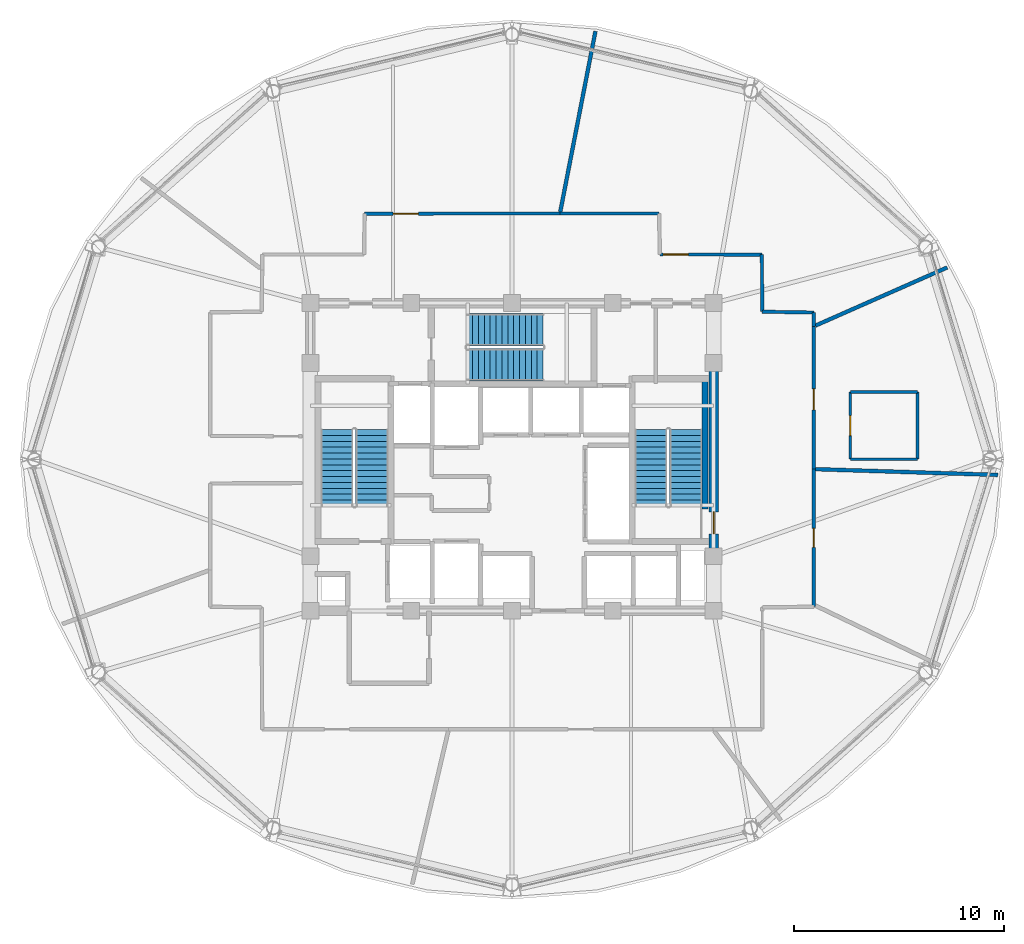
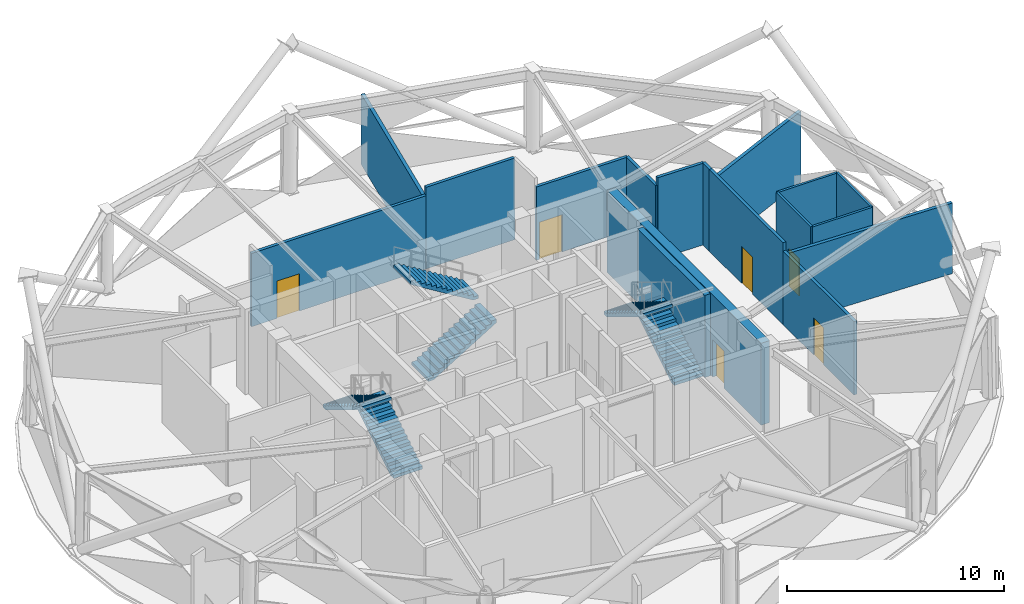
# One storey, part 12 of 16: 17 walls, 6 doors, 6 stair flights, 6 openings, 3 elements without a shape of their own.
"""IFC4 building model written with IfcOpenShell, lengths in metres."""

from ifc_helpers import new_model, si_unit, direction, frame, frame_2d, origin, place, context, subcontext, project, spatial, polyline, rectangle, outline, extrude, material, layer, layer_set, type_object, element, fill, aggregate, save


model = new_model("IFC4")

# Units and contexts
model_context = context("Model", 3, precision=1e-05, world=origin(), true_north=direction((0.0, 1.0)))
body_context = subcontext(model_context, "Body", "Model", "MODEL_VIEW")
ifc_project = project(units=[si_unit("LENGTHUNIT", "METRE"), si_unit("AREAUNIT", "SQUARE_METRE"), si_unit("VOLUMEUNIT", "CUBIC_METRE"), si_unit("PLANEANGLEUNIT", "RADIAN"), si_unit("MASSUNIT", "GRAM", prefix="KILO")], contexts=[model_context])

# Site, building, storey
site_placement = place(None, origin())
site = spatial("IfcSite", under=ifc_project, at=site_placement, CompositionType="ELEMENT")
building_placement = place(site_placement, origin())
building = spatial("IfcBuilding", under=site, at=building_placement, Name="Vantalir Tower", CompositionType="ELEMENT")
storey_placement = place(building_placement, frame((0.0, 0.0, 181.35009765625)))
storey = spatial("IfcBuildingStorey", under=building, at=storey_placement, Name="L45", CompositionType="ELEMENT", Elevation=181.35009765625)

# Walls
ifc_material_1 = material(Name="Moisture-resistant en-suite partition", Category="gypsum")
ifc_layer_1 = layer(ifc_material_1, 0.125)
ifc_layer_set_1 = layer_set([ifc_layer_1], Name="Moisture-resistant en-suite partition")
wall_type_1 = type_object("IfcWallType", Name="WL-BATH-125", PredefinedType="PARTITIONING", material=ifc_layer_set_1)
for number, where, z_axis, x_axis, name in (
    (1, (47.60498046875, 25.01904296875, 0.0), (0.0, 0.0, 1.0), (1.0, 0.0, 0.0), "L45 Accessible WC South Wall"),
    (2, (47.60498046875, 28.218994140625, 0.0), (0.0, 0.0, 1.0), (1.0, 0.0, 0.0), "L45 Accessible WC North Wall"),
):
    element("IfcWall", number, at=place(storey_placement, frame(where, z_axis=z_axis, x_axis=x_axis)), inside=storey, type_object=wall_type_1, Name=name, PredefinedType="PARTITIONING", context=body_context, shape_type="SweptSolid", body=[
        extrude(rectangle(XDim=3.199951171875, YDim=0.125, at=frame_2d((1.60009765625, 0.0))), origin(), (0.0, 0.0, 1.0), 4.599853515625),
    ])

# Wall, opening, door
wall_1_placement = place(storey_placement, frame((47.60498046875, 25.01904296875, 0.0), z_axis=(0.0, 0.0, 1.0), x_axis=(0.0, 1.0, 0.0)))
wall_1 = element("IfcWall", 3, at=wall_1_placement, inside=storey, type_object=wall_type_1, Name="L45 Accessible WC West Wall", PredefinedType="PARTITIONING", context=body_context, shape_type="SweptSolid", body=[
    extrude(rectangle(XDim=3.199951171875, YDim=0.125, at=frame_2d((1.60009765625, 0.0))), origin(), (0.0, 0.0, 1.0), 4.599853515625),
])
opening_1_placement = place(wall_1_placement, frame((1.125, 0.0, 0.0)))
opening_1 = element("IfcOpeningElement", 4, at=opening_1_placement, cuts=wall_1, Name="Opening D-AWC", PredefinedType="OPENING", context=body_context, shape_type="SweptSolid", body=[
    extrude(rectangle(XDim=0.949951171875, YDim=2.10009765625, at=frame_2d((0.47509765625, 1.050048828125))), frame((0.0, 0.072509765625, 0.0), z_axis=(0.0, -1.0, 0.0), x_axis=(1.0, 0.0, 0.0)), (0.0, 0.0, 1.0), 0.14501953125),
])
ifc_material_2 = material(Name="Accessible toilet outward-opening hardwood door", Category="wood")
door_type_1 = type_object("IfcDoorType", Name="DR-ACC-WC-950", OperationType="NOTDEFINED", PredefinedType="DOOR", material=ifc_material_2)
door_1_placement = place(opening_1_placement, origin())
door_1 = element("IfcDoor", 5, at=door_1_placement, inside=storey, type_object=door_type_1, Name="L45 Accessible WC Door", OperationType="SINGLE_SWING_RIGHT", OverallHeight=2.10009765625, OverallWidth=0.949951171875, PredefinedType="DOOR", context=body_context, shape_type="SweptSolid", body=[
    extrude(rectangle(XDim=0.949951171875, YDim=2.10009765625, at=frame_2d((0.47509765625, 1.050048828125))), frame((0.0, 0.02490234375, 0.0), z_axis=(0.0, -1.0, 0.0), x_axis=(1.0, 0.0, 0.0)), (0.0, 0.0, 1.0), 0.050048828125),
])
fill(opening_1, door_1)

# Wall
wall_2_placement = place(storey_placement, frame((50.804931640625, 25.01904296875, 0.0), z_axis=(0.0, 0.0, 1.0), x_axis=(0.0, 1.0, 0.0)))
element("IfcWall", 6, at=wall_2_placement, inside=storey, type_object=wall_type_1, Name="L45 Accessible WC East Wall", PredefinedType="PARTITIONING", context=body_context, shape_type="SweptSolid", body=[
    extrude(rectangle(XDim=3.199951171875, YDim=0.125, at=frame_2d((1.60009765625, 0.0))), origin(), (0.0, 0.0, 1.0), 4.599853515625),
])

# Wall, opening, door
ifc_material_3 = material(Name="Concrete C50/60", Category="concrete")
ifc_layer_2 = layer(ifc_material_3, 0.449951171875)
ifc_layer_set_2 = layer_set([ifc_layer_2], Name="Concrete C50/60")
wall_type_2 = type_object("IfcWallType", Name="WL-CORE-450", PredefinedType="SHEAR", material=ifc_layer_set_2)
wall_3_placement = place(storey_placement, frame((41.10009765625, 18.02490234375, 0.0), z_axis=(0.0, 0.0, 1.0), x_axis=(0.0, 1.0, 0.0)))
wall_3 = element("IfcWall", 7, at=wall_3_placement, inside=storey, type_object=wall_type_2, Name="L45 Core Shear Wall East", PredefinedType="SHEAR", context=body_context, shape_type="SweptSolid", body=[
    extrude(rectangle(XDim=14.2001953125, YDim=0.449951171875, at=frame_2d((7.10009765625, 0.0))), origin(), (0.0, 0.0, 1.0), 4.619873046875),
])
opening_2_placement = place(wall_3_placement, frame((3.43505859375, 0.0, 0.0)))
opening_2 = element("IfcOpeningElement", 8, at=opening_2_placement, cuts=wall_3, Name="Opening D-ST", PredefinedType="OPENING", context=body_context, shape_type="SweptSolid", body=[
    extrude(rectangle(XDim=1.050048828125, YDim=2.10009765625, at=frame_2d((0.52490234375, 1.050048828125))), frame((0.0, 0.23486328125, 0.0), z_axis=(0.0, -1.0, 0.0), x_axis=(1.0, 0.0, 0.0)), (0.0, 0.0, 1.0), 0.469970703125),
])
ifc_material_4 = material(Name="Fire-rated steel door leaf", Category="steel")
door_type_2 = type_object("IfcDoorType", Name="DR-FIRE-STAIR-1050", OperationType="NOTDEFINED", PredefinedType="DOOR", material=ifc_material_4)
door_2_placement = place(opening_2_placement, origin())
door_2 = element("IfcDoor", 9, at=door_2_placement, inside=storey, type_object=door_type_2, Name="L45 Exit Stair ST2 Fire Door", OperationType="SINGLE_SWING_LEFT", OverallHeight=2.10009765625, OverallWidth=1.050048828125, PredefinedType="DOOR", context=body_context, shape_type="SweptSolid", body=[
    extrude(rectangle(XDim=1.050048828125, YDim=2.10009765625, at=frame_2d((0.52490234375, 1.050048828125))), frame((0.0, 0.02490234375, 0.0), z_axis=(0.0, -1.0, 0.0), x_axis=(1.0, 0.0, 0.0)), (0.0, 0.0, 1.0), 0.050048828125),
])
fill(opening_2, door_2)

ifc_material_5 = material(Name="Fire-rated hotel corridor acoustic partition", Category="gypsum")
ifc_layer_3 = layer(ifc_material_5, 0.159912109375)
ifc_layer_set_3 = layer_set([ifc_layer_3], Name="Fire-rated hotel corridor acoustic partition")
wall_type_3 = type_object("IfcWallType", Name="WL-CORR-160", PredefinedType="PARTITIONING", material=ifc_layer_set_3)
wall_4_placement = place(storey_placement, frame((24.485107421875, 36.7119140625, 0.0), z_axis=(0.0, 0.0, 1.0), x_axis=(0.999999972071, 0.000236344531, 0.0)))
wall_4 = element("IfcWall", 10, at=wall_4_placement, inside=storey, type_object=wall_type_3, Name="L45 Corridor Partition 08", PredefinedType="PARTITIONING", context=body_context, shape_type="SweptSolid", body=[
    extrude(rectangle(XDim=9.296875, YDim=0.159912109375, at=frame_2d((4.6484375, 0.0))), origin(), (0.0, 0.0, 1.0), 4.130859375),
])
opening_3_placement = place(wall_4_placement, frame((1.35595703125, 0.0, 0.0)))
opening_3 = element("IfcOpeningElement", 11, at=opening_3_placement, cuts=wall_4, Name="Opening D-STE", PredefinedType="OPENING", context=body_context, shape_type="SweptSolid", body=[
    extrude(rectangle(XDim=1.199951171875, YDim=2.10009765625, at=frame_2d((0.60009765625, 1.050048828125))), frame((0.0, 0.08984375, 0.0), z_axis=(0.0, -1.0, 0.0), x_axis=(1.0, 0.0, 0.0)), (0.0, 0.0, 1.0), 0.179931640625),
])
ifc_material_6 = material(Name="Solid-core teak veneer suite entrance door", Category="wood")
door_type_3 = type_object("IfcDoorType", Name="DR-SUITE-ENTRY-1200", OperationType="NOTDEFINED", PredefinedType="DOOR", material=ifc_material_6)
door_3_placement = place(opening_3_placement, origin())
door_3 = element("IfcDoor", 12, at=door_3_placement, inside=storey, type_object=door_type_3, Name="L45 Sky Club Lounge Door", OperationType="SINGLE_SWING_LEFT", OverallHeight=2.10009765625, OverallWidth=1.199951171875, PredefinedType="DOOR", context=body_context, shape_type="SweptSolid", body=[
    extrude(rectangle(XDim=1.199951171875, YDim=2.10009765625, at=frame_2d((0.60009765625, 1.050048828125))), frame((0.0, 0.02490234375, 0.0), z_axis=(0.0, -1.0, 0.0), x_axis=(1.0, 0.0, 0.0)), (0.0, 0.0, 1.0), 0.050048828125),
])
fill(opening_3, door_3)

# Wall
wall_5_placement = place(storey_placement, frame((33.781982421875, 36.714111328125, 0.0), z_axis=(0.0, 0.0, 1.0), x_axis=(0.999999978614, 0.000206814535, 0.0)))
element("IfcWall", 13, at=wall_5_placement, inside=storey, type_object=wall_type_3, Name="L45 Corridor Partition 09", PredefinedType="PARTITIONING", context=body_context, shape_type="SweptSolid", body=[
    extrude(rectangle(XDim=4.721923828125, YDim=0.159912109375, at=frame_2d((2.36083984375, 0.0))), origin(), (0.0, 0.0, 1.0), 4.599853515625),
])

# Wall, opening, door
wall_6_placement = place(storey_placement, frame((38.5400390625, 34.764892578125, 0.0), z_axis=(0.0, 0.0, 1.0), x_axis=(0.99999900953, -0.001407458141, 0.0)))
wall_6 = element("IfcWall", 14, at=wall_6_placement, inside=storey, type_object=wall_type_3, Name="L45 Corridor Partition 11", PredefinedType="PARTITIONING", context=body_context, shape_type="SweptSolid", body=[
    extrude(rectangle(XDim=4.85693359375, YDim=0.159912109375, at=frame_2d((2.428466796875, 0.0))), origin(), (0.0, 0.0, 1.0), 4.130859375),
])
opening_4_placement = place(wall_6_placement, frame((0.159912109375, 0.0, 0.0)))
opening_4 = element("IfcOpeningElement", 15, at=opening_4_placement, cuts=wall_6, Name="Opening D-STE", PredefinedType="OPENING", context=body_context, shape_type="SweptSolid", body=[
    extrude(rectangle(XDim=1.199951171875, YDim=2.10009765625, at=frame_2d((0.60009765625, 1.050048828125))), frame((0.0, 0.08984375, 0.0), z_axis=(0.0, -1.0, 0.0), x_axis=(1.0, 0.0, 0.0)), (0.0, 0.0, 1.0), 0.179931640625),
])
door_4_placement = place(opening_4_placement, origin())
door_4 = element("IfcDoor", 16, at=door_4_placement, inside=storey, type_object=door_type_3, Name="L45 Sky Lobby Reception Door", OperationType="SINGLE_SWING_RIGHT", OverallHeight=2.10009765625, OverallWidth=1.199951171875, PredefinedType="DOOR", context=body_context, shape_type="SweptSolid", body=[
    extrude(rectangle(XDim=1.199951171875, YDim=2.10009765625, at=frame_2d((0.60009765625, 1.050048828125))), frame((0.0, 0.02490234375, 0.0), z_axis=(0.0, -1.0, 0.0), x_axis=(1.0, 0.0, 0.0)), (0.0, 0.0, 1.0), 0.050048828125),
])
fill(opening_4, door_4)

# Walls
wall_7_placement = place(storey_placement, frame((43.39697265625, 34.758056640625, 0.0), z_axis=(0.0, 0.0, 1.0), x_axis=(0.006646758766, -0.999977910055, 0.0)))
element("IfcWall", 17, at=wall_7_placement, inside=storey, type_object=wall_type_3, Name="L45 Corridor Partition 12", PredefinedType="PARTITIONING", context=body_context, shape_type="SweptSolid", body=[
    extrude(rectangle(XDim=2.718017578125, YDim=0.159912109375, at=frame_2d((1.35888671875, 0.0))), origin(), (0.0, 0.0, 1.0), 4.130859375),
])
wall_8_placement = place(storey_placement, frame((43.4150390625, 32.0400390625, 0.0), z_axis=(0.0, 0.0, 1.0), x_axis=(0.999867567339, -0.016274144605, 0.0)))
element("IfcWall", 18, at=wall_8_placement, inside=storey, type_object=wall_type_3, Name="L45 Corridor Partition 13", PredefinedType="PARTITIONING", context=body_context, shape_type="SweptSolid", body=[
    extrude(rectangle(XDim=2.460205078125, YDim=0.159912109375, at=frame_2d((1.22998046875, 0.0))), origin(), (0.0, 0.0, 1.0), 4.599853515625),
])
wall_9_placement = place(storey_placement, frame((45.875, 32.0, 0.0), z_axis=(0.0, 0.0, 1.0), x_axis=(0.0, -1.0, 0.0)))
element("IfcWall", 19, at=wall_9_placement, inside=storey, type_object=wall_type_3, Name="L45 Corridor Partition 14", PredefinedType="PARTITIONING", context=body_context, shape_type="SweptSolid", body=[
    extrude(rectangle(XDim=0.654052734375, YDim=0.159912109375, at=frame_2d((0.3271484375, 0.0))), origin(), (0.0, 0.0, 1.0), 4.599853515625),
])

# Wall, opening, door
wall_10_placement = place(storey_placement, frame((45.875, 31.345947265625, 0.0), z_axis=(0.0, 0.0, 1.0), x_axis=(0.0, -1.0, 0.0)))
wall_10 = element("IfcWall", 20, at=wall_10_placement, inside=storey, type_object=wall_type_3, Name="L45 Corridor Partition 15", PredefinedType="PARTITIONING", context=body_context, shape_type="SweptSolid", body=[
    extrude(rectangle(XDim=6.800048828125, YDim=0.159912109375, at=frame_2d((3.39990234375, 0.0))), origin(), (0.0, 0.0, 1.0), 4.599853515625),
])
opening_5_placement = place(wall_10_placement, frame((2.97412109375, 0.0, 0.0)))
opening_5 = element("IfcOpeningElement", 21, at=opening_5_placement, cuts=wall_10, Name="Opening D-GUEST", PredefinedType="OPENING", context=body_context, shape_type="SweptSolid", body=[
    extrude(rectangle(XDim=1.0, YDim=2.10009765625, at=frame_2d((0.5, 1.050048828125))), frame((0.0, 0.08984375, 0.0), z_axis=(0.0, -1.0, 0.0), x_axis=(1.0, 0.0, 0.0)), (0.0, 0.0, 1.0), 0.179931640625),
])
ifc_material_7 = material(Name="Solid-core teak veneer acoustic fire door", Category="wood")
door_type_4 = type_object("IfcDoorType", Name="DR-GUEST-ENTRY-1000", OperationType="NOTDEFINED", PredefinedType="DOOR", material=ifc_material_7)
door_5_placement = place(opening_5_placement, origin())
door_5 = element("IfcDoor", 22, at=door_5_placement, inside=storey, type_object=door_type_4, Name="L45 Sanitary Vestibule Door", OperationType="SINGLE_SWING_LEFT", OverallHeight=2.10009765625, OverallWidth=1.0, PredefinedType="DOOR", context=body_context, shape_type="SweptSolid", body=[
    extrude(rectangle(XDim=1.0, YDim=2.10009765625, at=frame_2d((0.5, 1.050048828125))), frame((0.0, 0.02490234375, 0.0), z_axis=(0.0, -1.0, 0.0), x_axis=(1.0, 0.0, 0.0)), (0.0, 0.0, 1.0), 0.050048828125),
])
fill(opening_5, door_5)

wall_11_placement = place(storey_placement, frame((45.875, 24.5458984375, 0.0), z_axis=(0.0, 0.0, 1.0), x_axis=(0.0, -1.0, 0.0)))
wall_11 = element("IfcWall", 23, at=wall_11_placement, inside=storey, type_object=wall_type_3, Name="L45 Corridor Partition 16", PredefinedType="PARTITIONING", context=body_context, shape_type="SweptSolid", body=[
    extrude(rectangle(XDim=6.5498046875, YDim=0.159912109375, at=frame_2d((3.27490234375, 0.0))), origin(), (0.0, 0.0, 1.0), 4.130859375),
])
opening_6_placement = place(wall_11_placement, frame((2.824951171875, 0.0, 0.0)))
opening_6 = element("IfcOpeningElement", 24, at=opening_6_placement, cuts=wall_11, Name="Opening D-WC", PredefinedType="OPENING", context=body_context, shape_type="SweptSolid", body=[
    extrude(rectangle(XDim=0.89990234375, YDim=2.10009765625, at=frame_2d((0.449951171875, 1.050048828125))), frame((0.0, 0.08984375, 0.0), z_axis=(0.0, -1.0, 0.0), x_axis=(1.0, 0.0, 0.0)), (0.0, 0.0, 1.0), 0.179931640625),
])
ifc_material_8 = material(Name="Moisture-resistant hardwood door", Category="wood")
door_type_5 = type_object("IfcDoorType", Name="DR-ENSUITE-900", OperationType="NOTDEFINED", PredefinedType="DOOR", material=ifc_material_8)
door_6_placement = place(opening_6_placement, origin())
door_6 = element("IfcDoor", 25, at=door_6_placement, inside=storey, type_object=door_type_5, Name="L45 Public Female WC Door", OperationType="SINGLE_SWING_RIGHT", OverallHeight=2.10009765625, OverallWidth=0.89990234375, PredefinedType="DOOR", context=body_context, shape_type="SweptSolid", body=[
    extrude(rectangle(XDim=0.89990234375, YDim=2.10009765625, at=frame_2d((0.449951171875, 1.050048828125))), frame((0.0, 0.02490234375, 0.0), z_axis=(0.0, -1.0, 0.0), x_axis=(1.0, 0.0, 0.0)), (0.0, 0.0, 1.0), 0.050048828125),
])
fill(opening_6, door_6)

# Walls
ifc_material_9 = material(Name="Twin-stud acoustic fire-rated gypsum partition", Category="gypsum")
ifc_layer_4 = layer(ifc_material_9, 0.179931640625)
ifc_layer_set_4 = layer_set([ifc_layer_4], Name="Twin-stud acoustic fire-rated gypsum partition")
wall_type_4 = type_object("IfcWallType", Name="WL-GUEST-180", PredefinedType="PARTITIONING", material=ifc_layer_set_4)
wall_12_placement = place(storey_placement, frame((45.949951171875, 31.37890625, 0.0), z_axis=(0.0, 0.0, 1.0), x_axis=(0.914839640102, 0.403817326149, 0.0)))
element("IfcWall", 26, at=wall_12_placement, inside=storey, type_object=wall_type_4, Name="L45 Radial Suite Partition 01", PredefinedType="PARTITIONING", context=body_context, shape_type="SweptSolid", body=[
    extrude(rectangle(XDim=6.854736328125, YDim=0.179931640625, at=frame_2d((3.42724609375, 0.0))), origin(), (0.0, 0.0, 1.0), 3.974853515625),
])
wall_13_placement = place(storey_placement, frame((33.797119140625, 36.7900390625, 0.0), z_axis=(0.0, 0.0, 1.0), x_axis=(0.191196203525, 0.981551838548, 0.0)))
element("IfcWall", 27, at=wall_13_placement, inside=storey, type_object=wall_type_4, Name="L45 Radial Suite Partition 02", PredefinedType="PARTITIONING", context=body_context, shape_type="SweptSolid", body=[
    extrude(rectangle(XDim=8.7646484375, YDim=0.179931640625, at=frame_2d((4.38232421875, 0.0))), origin(), (0.0, 0.0, 1.0), 3.974853515625),
])
wall_14_placement = place(storey_placement, frame((45.949951171875, 24.54296875, 0.0), z_axis=(0.0, 0.0, 1.0), x_axis=(0.999502177771, -0.031549906976, 0.0)))
element("IfcWall", 28, at=wall_14_placement, inside=storey, type_object=wall_type_4, Name="L45 Radial Suite Partition 08", PredefinedType="PARTITIONING", context=body_context, shape_type="SweptSolid", body=[
    extrude(rectangle(XDim=8.682373046875, YDim=0.179931640625, at=frame_2d((4.34130859375, 0.0))), origin(), (0.0, 0.0, 1.0), 3.974853515625),
])
ifc_layer_5 = layer(ifc_material_3, 0.300048828125)
ifc_layer_set_5 = layer_set([ifc_layer_5], Name="Concrete C50/60")
wall_type_5 = type_object("IfcWallType", Name="WL-STAIR-300", PredefinedType="SHEAR", material=ifc_layer_set_5)
wall_15_placement = place(storey_placement, frame((40.68994140625, 22.64990234375, 0.0), z_axis=(0.0, 0.0, 1.0), x_axis=(0.0, 1.0, 0.0)))
element("IfcWall", 29, at=wall_15_placement, inside=storey, type_object=wall_type_5, Name="L45 Stair ST2 East Liner Wall", PredefinedType="SHEAR", context=body_context, shape_type="SweptSolid", body=[
    extrude(rectangle(XDim=6.2001953125, YDim=0.300048828125, at=frame_2d((3.10009765625, 0.0))), origin(), (0.0, 0.0, 1.0), 4.619873046875),
])

# Stair, stair flights
ifc_material_10 = material(Name="Concrete C40/50", Category="concrete")
stair_type = type_object("IfcStairType", Name="STR-CORE-1450", PredefinedType="HALF_TURN_STAIR", material=ifc_material_10)
stair_1_placement = place(storey_placement, origin())
stair_1 = element("IfcStair", 30, at=stair_1_placement, inside=storey, type_object=stair_type, Name="L45 Core Exit Stair 1", PredefinedType="HALF_TURN_STAIR")
stair_flight_type = type_object("IfcStairFlightType", Name="FLT-CORE-1450", PredefinedType="STRAIGHT", material=ifc_material_10)
stair_flight_1_placement = place(storey_placement, frame((24.830078125, 22.7900390625, 0.0), z_axis=(0.0, 0.0, 1.0), x_axis=(0.0, 1.0, 0.0)))
stair_flight_1 = element("IfcStairFlight", 31, at=stair_flight_1_placement, type_object=stair_flight_type, Name="ST1 flight 1", NumberOfRisers=14, NumberOfTreads=13, PredefinedType="STRAIGHT", RiserHeight=0.171428571, TreadLength=0.28, context=body_context, shape_type="SweptSolid", body=[
    extrude(outline(polyline([(0.0, 0.0), (0.0, 0.17138671875), (0.280029296875, 0.17138671875), (0.280029296875, 0.3427734375), (0.56005859375, 0.3427734375), (0.56005859375, 0.514404296875), (0.840087890625, 0.514404296875), (0.840087890625, 0.685791015625), (1.1201171875, 0.685791015625), (1.1201171875, 0.857177734375), (1.39990234375, 0.857177734375), (1.39990234375, 1.028564453125), (1.679931640625, 1.028564453125), (1.679931640625, 1.199951171875), (1.9599609375, 1.199951171875), (1.9599609375, 1.371337890625), (2.239990234375, 1.371337890625), (2.239990234375, 1.54296875), (2.52001953125, 1.54296875), (2.52001953125, 1.71435546875), (2.800048828125, 1.71435546875), (2.800048828125, 1.8857421875), (3.080078125, 1.8857421875), (3.080078125, 2.05712890625), (3.360107421875, 2.05712890625), (3.360107421875, 2.228515625), (3.639892578125, 2.228515625), (3.639892578125, 2.39990234375), (3.639892578125, 2.052734375), (0.287109375, 0.0), (0.0, 0.0)])), frame((0.0, 0.77001953125, 0.0), z_axis=(0.0, -1.0, 0.0), x_axis=(1.0, 0.0, 0.0)), (0.0, 0.0, 1.0), 1.5400390625),
])
stair_flight_2_placement = place(storey_placement, frame((23.169921875, 26.429931640625, 2.39990234375), z_axis=(0.0, 0.0, 1.0), x_axis=(0.0, -1.0, 0.0)))
stair_flight_2 = element("IfcStairFlight", 32, at=stair_flight_2_placement, type_object=stair_flight_type, Name="ST1 flight 2", NumberOfRisers=14, NumberOfTreads=13, PredefinedType="STRAIGHT", RiserHeight=0.171428571, TreadLength=0.28, context=body_context, shape_type="SweptSolid", body=[
    extrude(outline(polyline([(0.0, 0.0), (0.0, 0.17138671875), (0.280029296875, 0.17138671875), (0.280029296875, 0.3427734375), (0.56005859375, 0.3427734375), (0.56005859375, 0.514404296875), (0.840087890625, 0.514404296875), (0.840087890625, 0.685791015625), (1.1201171875, 0.685791015625), (1.1201171875, 0.857177734375), (1.39990234375, 0.857177734375), (1.39990234375, 1.028564453125), (1.679931640625, 1.028564453125), (1.679931640625, 1.199951171875), (1.9599609375, 1.199951171875), (1.9599609375, 1.371337890625), (2.239990234375, 1.371337890625), (2.239990234375, 1.54296875), (2.52001953125, 1.54296875), (2.52001953125, 1.71435546875), (2.800048828125, 1.71435546875), (2.800048828125, 1.8857421875), (3.080078125, 1.8857421875), (3.080078125, 2.05712890625), (3.360107421875, 2.05712890625), (3.360107421875, 2.228515625), (3.639892578125, 2.228515625), (3.639892578125, 2.39990234375), (3.639892578125, 2.052734375), (0.287109375, 0.0), (0.0, 0.0)])), frame((0.0, 0.77001953125, 0.0), z_axis=(0.0, -1.0, 0.0), x_axis=(1.0, 0.0, 0.0)), (0.0, 0.0, 1.0), 1.5400390625),
])
aggregate(stair_1, [stair_flight_1, stair_flight_2])

stair_2_placement = place(storey_placement, origin())
stair_2 = element("IfcStair", 33, at=stair_2_placement, inside=storey, type_object=stair_type, Name="L45 Core Exit Stair 2", PredefinedType="HALF_TURN_STAIR")
stair_flight_3_placement = place(storey_placement, frame((39.780029296875, 22.7900390625, 0.0), z_axis=(0.0, 0.0, 1.0), x_axis=(0.0, 1.0, 0.0)))
stair_flight_3 = element("IfcStairFlight", 34, at=stair_flight_3_placement, type_object=stair_flight_type, Name="ST2 flight 1", NumberOfRisers=14, NumberOfTreads=13, PredefinedType="STRAIGHT", RiserHeight=0.171428571, TreadLength=0.28, context=body_context, shape_type="SweptSolid", body=[
    extrude(outline(polyline([(0.0, 0.0), (0.0, 0.17138671875), (0.280029296875, 0.17138671875), (0.280029296875, 0.3427734375), (0.56005859375, 0.3427734375), (0.56005859375, 0.514404296875), (0.840087890625, 0.514404296875), (0.840087890625, 0.685791015625), (1.1201171875, 0.685791015625), (1.1201171875, 0.857177734375), (1.39990234375, 0.857177734375), (1.39990234375, 1.028564453125), (1.679931640625, 1.028564453125), (1.679931640625, 1.199951171875), (1.9599609375, 1.199951171875), (1.9599609375, 1.371337890625), (2.239990234375, 1.371337890625), (2.239990234375, 1.54296875), (2.52001953125, 1.54296875), (2.52001953125, 1.71435546875), (2.800048828125, 1.71435546875), (2.800048828125, 1.8857421875), (3.080078125, 1.8857421875), (3.080078125, 2.05712890625), (3.360107421875, 2.05712890625), (3.360107421875, 2.228515625), (3.639892578125, 2.228515625), (3.639892578125, 2.39990234375), (3.639892578125, 2.052734375), (0.287109375, 0.0), (0.0, 0.0)])), frame((0.0, 0.77001953125, 0.0), z_axis=(0.0, -1.0, 0.0), x_axis=(1.0, 0.0, 0.0)), (0.0, 0.0, 1.0), 1.5400390625),
])
stair_flight_4_placement = place(storey_placement, frame((38.1201171875, 26.429931640625, 2.39990234375), z_axis=(0.0, 0.0, 1.0), x_axis=(0.0, -1.0, 0.0)))
stair_flight_4 = element("IfcStairFlight", 35, at=stair_flight_4_placement, type_object=stair_flight_type, Name="ST2 flight 2", NumberOfRisers=14, NumberOfTreads=13, PredefinedType="STRAIGHT", RiserHeight=0.171428571, TreadLength=0.28, context=body_context, shape_type="SweptSolid", body=[
    extrude(outline(polyline([(0.0, 0.0), (0.0, 0.17138671875), (0.280029296875, 0.17138671875), (0.280029296875, 0.3427734375), (0.56005859375, 0.3427734375), (0.56005859375, 0.514404296875), (0.840087890625, 0.514404296875), (0.840087890625, 0.685791015625), (1.1201171875, 0.685791015625), (1.1201171875, 0.857177734375), (1.39990234375, 0.857177734375), (1.39990234375, 1.028564453125), (1.679931640625, 1.028564453125), (1.679931640625, 1.199951171875), (1.9599609375, 1.199951171875), (1.9599609375, 1.371337890625), (2.239990234375, 1.371337890625), (2.239990234375, 1.54296875), (2.52001953125, 1.54296875), (2.52001953125, 1.71435546875), (2.800048828125, 1.71435546875), (2.800048828125, 1.8857421875), (3.080078125, 1.8857421875), (3.080078125, 2.05712890625), (3.360107421875, 2.05712890625), (3.360107421875, 2.228515625), (3.639892578125, 2.228515625), (3.639892578125, 2.39990234375), (3.639892578125, 2.052734375), (0.287109375, 0.0), (0.0, 0.0)])), frame((0.0, 0.77001953125, 0.0), z_axis=(0.0, -1.0, 0.0), x_axis=(1.0, 0.0, 0.0)), (0.0, 0.0, 1.0), 1.5400390625),
])
aggregate(stair_2, [stair_flight_3, stair_flight_4])

stair_3_placement = place(storey_placement, origin())
stair_3 = element("IfcStair", 36, at=stair_3_placement, inside=storey, type_object=stair_type, Name="L45 Core Exit Stair 3", PredefinedType="HALF_TURN_STAIR")
stair_flight_5_placement = place(storey_placement, frame((29.340087890625, 29.52001953125, 0.0), z_axis=(0.0, 0.0, 1.0), x_axis=(1.0, 0.0, 0.0)))
stair_flight_5 = element("IfcStairFlight", 37, at=stair_flight_5_placement, type_object=stair_flight_type, Name="ST3 flight 1", NumberOfRisers=14, NumberOfTreads=13, PredefinedType="STRAIGHT", RiserHeight=0.171428571, TreadLength=0.28, context=body_context, shape_type="SweptSolid", body=[
    extrude(outline(polyline([(0.0, 0.0), (0.0, 0.17138671875), (0.280029296875, 0.17138671875), (0.280029296875, 0.3427734375), (0.56005859375, 0.3427734375), (0.56005859375, 0.514404296875), (0.840087890625, 0.514404296875), (0.840087890625, 0.685791015625), (1.1201171875, 0.685791015625), (1.1201171875, 0.857177734375), (1.39990234375, 0.857177734375), (1.39990234375, 1.028564453125), (1.679931640625, 1.028564453125), (1.679931640625, 1.199951171875), (1.9599609375, 1.199951171875), (1.9599609375, 1.371337890625), (2.239990234375, 1.371337890625), (2.239990234375, 1.54296875), (2.52001953125, 1.54296875), (2.52001953125, 1.71435546875), (2.800048828125, 1.71435546875), (2.800048828125, 1.8857421875), (3.080078125, 1.8857421875), (3.080078125, 2.05712890625), (3.360107421875, 2.05712890625), (3.360107421875, 2.228515625), (3.639892578125, 2.228515625), (3.639892578125, 2.39990234375), (3.639892578125, 2.052734375), (0.287109375, 0.0), (0.0, 0.0)])), frame((0.0, 0.77001953125, 0.0), z_axis=(0.0, -1.0, 0.0), x_axis=(1.0, 0.0, 0.0)), (0.0, 0.0, 1.0), 1.5400390625),
])
stair_flight_6_placement = place(storey_placement, frame((32.97998046875, 31.179931640625, 2.39990234375), z_axis=(0.0, 0.0, 1.0), x_axis=(-1.0, 0.0, 0.0)))
stair_flight_6 = element("IfcStairFlight", 38, at=stair_flight_6_placement, type_object=stair_flight_type, Name="ST3 flight 2", NumberOfRisers=14, NumberOfTreads=13, PredefinedType="STRAIGHT", RiserHeight=0.171428571, TreadLength=0.28, context=body_context, shape_type="SweptSolid", body=[
    extrude(outline(polyline([(0.0, 0.0), (0.0, 0.17138671875), (0.280029296875, 0.17138671875), (0.280029296875, 0.3427734375), (0.56005859375, 0.3427734375), (0.56005859375, 0.514404296875), (0.840087890625, 0.514404296875), (0.840087890625, 0.685791015625), (1.1201171875, 0.685791015625), (1.1201171875, 0.857177734375), (1.39990234375, 0.857177734375), (1.39990234375, 1.028564453125), (1.679931640625, 1.028564453125), (1.679931640625, 1.199951171875), (1.9599609375, 1.199951171875), (1.9599609375, 1.371337890625), (2.239990234375, 1.371337890625), (2.239990234375, 1.54296875), (2.52001953125, 1.54296875), (2.52001953125, 1.71435546875), (2.800048828125, 1.71435546875), (2.800048828125, 1.8857421875), (3.080078125, 1.8857421875), (3.080078125, 2.05712890625), (3.360107421875, 2.05712890625), (3.360107421875, 2.228515625), (3.639892578125, 2.228515625), (3.639892578125, 2.39990234375), (3.639892578125, 2.052734375), (0.287109375, 0.0), (0.0, 0.0)])), frame((0.0, 0.77001953125, 0.0), z_axis=(0.0, -1.0, 0.0), x_axis=(1.0, 0.0, 0.0)), (0.0, 0.0, 1.0), 1.5400390625),
])
aggregate(stair_3, [stair_flight_5, stair_flight_6])

save(model, "model.ifc")
